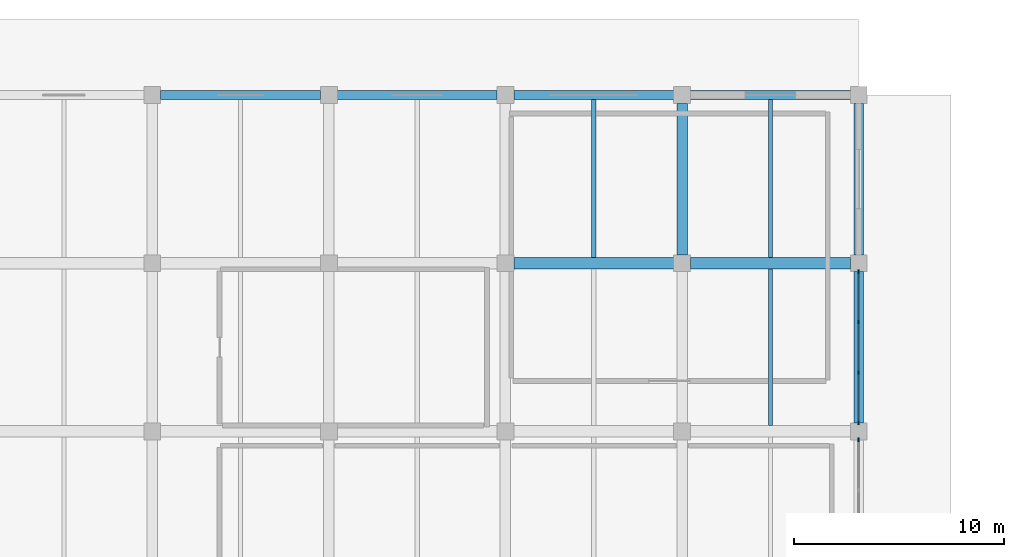
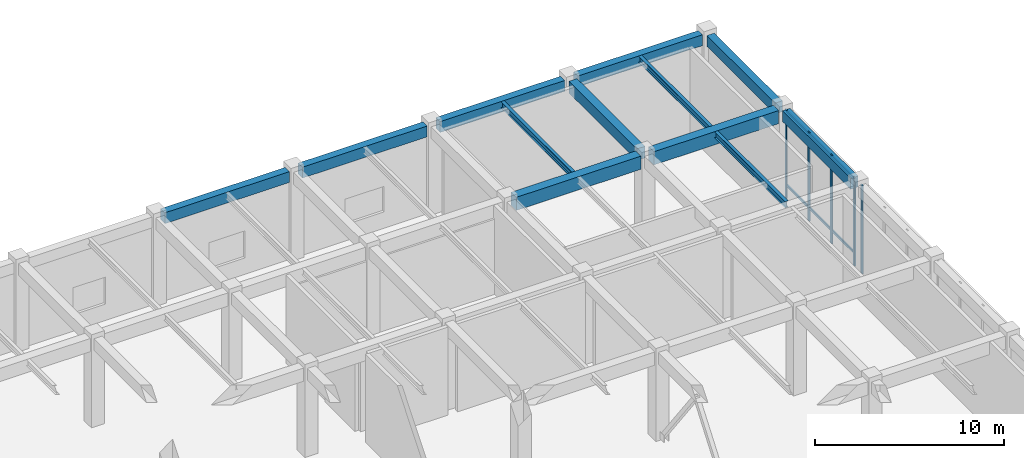
# One storey, part 37 of 76: 12 beams, 11 members, 2 elements without a shape of their own.
"""IFC4 building model written with IfcOpenShell, lengths in metres."""

from ifc_helpers import new_model, si_unit, direction, frame, origin, origin_2d, place, context, subcontext, project, spatial, rectangle, i_section, extrude, material, layer, layer_set, material_profile, profile_set, type_object, element, aggregate, save


model = new_model("IFC4")

# Units and contexts
model_context = context("Model", 3, precision=1e-05, world=origin(), true_north=direction((0.0, 1.0)))
body_context = subcontext(model_context, "Body", "Model", "MODEL_VIEW")
ifc_project = project(units=[si_unit("LENGTHUNIT", "METRE"), si_unit("AREAUNIT", "SQUARE_METRE"), si_unit("VOLUMEUNIT", "CUBIC_METRE"), si_unit("PLANEANGLEUNIT", "RADIAN"), si_unit("MASSUNIT", "GRAM", prefix="KILO")], contexts=[model_context])

# Site, building, storey
site_placement = place(None, origin())
site = spatial("IfcSite", under=ifc_project, at=site_placement, CompositionType="ELEMENT")
building_placement = place(site_placement, origin())
building = spatial("IfcBuilding", under=site, at=building_placement, Name="Naruveol Harbour Congress Hotel", CompositionType="ELEMENT")
storey_placement = place(building_placement, origin())
storey = spatial("IfcBuildingStorey", under=building, at=storey_placement, Name="L00", CompositionType="ELEMENT", Elevation=0.0)

# Beams
ifc_material_1 = material(Name="Concrete C40/50", Category="concrete")
ifc_material_profile_1 = material_profile(ifc_material_1, rectangle(XDim=0.5, YDim=0.75, at=origin_2d()), Name="RCB-500x750")
ifc_profile_set_1 = profile_set([ifc_material_profile_1], Name="Concrete C40/50")
beam_type_1 = type_object("IfcBeamType", Name="RC FLOOR GIRDER 500X750", PredefinedType="BEAM", material=ifc_profile_set_1)
beam_1_placement = place(storey_placement, frame((117.60009765625, 104.39599609375, 5.324951171875), z_axis=(0.0, 1.0, 0.0), x_axis=(-1.0, 0.0, 0.0)))
element("IfcBeam", 1, at=beam_1_placement, inside=storey, type_object=beam_type_1, Name="Transverse girder L01 CB3", PredefinedType="BEAM", context=body_context, shape_type="SweptSolid", body=[
    extrude(rectangle(XDim=0.5, YDim=0.75, at=origin_2d()), origin(), (0.0, 0.0, 1.0), 7.2080078125),
])
ifc_material_2 = material(Name="Concrete C40/50", Category="concrete")
ifc_material_profile_2 = material_profile(ifc_material_2, rectangle(XDim=0.550048828125, YDim=0.85009765625, at=origin_2d()), Name="RCB-550x850")
ifc_profile_set_2 = profile_set([ifc_material_profile_2], Name="Concrete C40/50")
beam_type_2 = type_object("IfcBeamType", Name="RC PRIMARY GIRDER 550X850", PredefinedType="BEAM", material=ifc_profile_set_2)
beam_2_placement = place(storey_placement, frame((109.595947265625, 104.0, 5.27490234375), z_axis=(1.0, 0.0, 0.0), x_axis=(0.0, 1.0, 0.0)))
element("IfcBeam", 2, at=beam_2_placement, inside=storey, type_object=beam_type_2, Name="Floor girder L01 CB2", PredefinedType="BEAM", context=body_context, shape_type="SweptSolid", body=[
    extrude(rectangle(XDim=0.550048828125, YDim=0.85009765625, at=origin_2d()), origin(), (0.0, 0.0, 1.0), 7.608154296875),
])
beam_3_placement = place(storey_placement, frame((117.99609375, 104.0, 5.27490234375), z_axis=(1.0, 0.0, 0.0), x_axis=(0.0, 1.0, 0.0)))
element("IfcBeam", 3, at=beam_3_placement, inside=storey, type_object=beam_type_2, Name="Floor girder L01 CB2", PredefinedType="BEAM", context=body_context, shape_type="SweptSolid", body=[
    extrude(rectangle(XDim=0.550048828125, YDim=0.85009765625, at=origin_2d()), origin(), (0.0, 0.0, 1.0), 7.60791015625),
])
ifc_material_3 = material(Name="Concrete C40/50", Category="concrete")
ifc_material_profile_3 = material_profile(ifc_material_3, rectangle(XDim=0.449951171875, YDim=0.699951171875, at=origin_2d()), Name="RCB-450x700")
ifc_profile_set_3 = profile_set([ifc_material_profile_3], Name="Concrete C40/50")
beam_type_3 = type_object("IfcBeamType", Name="RC SPANDREL BEAM 450X700", PredefinedType="SPANDREL", material=ifc_profile_set_3)
beam_4_placement = place(storey_placement, frame((92.7958984375, 112.0, 5.35009765625), z_axis=(1.0, 0.0, 0.0), x_axis=(0.0, 1.0, 0.0)))
element("IfcBeam", 4, at=beam_4_placement, inside=storey, type_object=beam_type_3, Name="Floor girder L01 SPB1", PredefinedType="SPANDREL", context=body_context, shape_type="SweptSolid", body=[
    extrude(rectangle(XDim=0.449951171875, YDim=0.699951171875, at=origin_2d()), origin(), (0.0, 0.0, 1.0), 7.608154296875),
])
beam_5_placement = place(storey_placement, frame((101.196044921875, 112.0, 5.35009765625), z_axis=(1.0, 0.0, 0.0), x_axis=(0.0, 1.0, 0.0)))
element("IfcBeam", 5, at=beam_5_placement, inside=storey, type_object=beam_type_3, Name="Floor girder L01 SPB1", PredefinedType="SPANDREL", context=body_context, shape_type="SweptSolid", body=[
    extrude(rectangle(XDim=0.449951171875, YDim=0.699951171875, at=origin_2d()), origin(), (0.0, 0.0, 1.0), 7.60791015625),
])
beam_6_placement = place(storey_placement, frame((109.595947265625, 112.0, 5.35009765625), z_axis=(1.0, 0.0, 0.0), x_axis=(0.0, 1.0, 0.0)))
element("IfcBeam", 6, at=beam_6_placement, inside=storey, type_object=beam_type_3, Name="Floor girder L01 SPB1", PredefinedType="SPANDREL", context=body_context, shape_type="SweptSolid", body=[
    extrude(rectangle(XDim=0.449951171875, YDim=0.699951171875, at=origin_2d()), origin(), (0.0, 0.0, 1.0), 7.608154296875),
])
beam_7_placement = place(storey_placement, frame((117.99609375, 112.0, 5.35009765625), z_axis=(1.0, 0.0, 0.0), x_axis=(0.0, 1.0, 0.0)))
element("IfcBeam", 7, at=beam_7_placement, inside=storey, type_object=beam_type_3, Name="Floor girder L01 SPB1", PredefinedType="SPANDREL", context=body_context, shape_type="SweptSolid", body=[
    extrude(rectangle(XDim=0.449951171875, YDim=0.699951171875, at=origin_2d()), origin(), (0.0, 0.0, 1.0), 7.60791015625),
])
for number, where, z_axis, x_axis, name in (
    (8, (126.0, 96.39599609375, 5.35009765625), (0.0, 1.0, 0.0), (-1.0, 0.0, 0.0), "Transverse girder L01 SPB1"),
    (9, (126.0, 104.39599609375, 5.35009765625), (0.0, 1.0, 0.0), (-1.0, 0.0, 0.0), "Transverse girder L01 SPB1"),
):
    element("IfcBeam", number, at=place(storey_placement, frame(where, z_axis=z_axis, x_axis=x_axis)), inside=storey, type_object=beam_type_3, Name=name, PredefinedType="SPANDREL", context=body_context, shape_type="SweptSolid", body=[
        extrude(rectangle(XDim=0.449951171875, YDim=0.699951171875, at=origin_2d()), origin(), (0.0, 0.0, 1.0), 7.2080078125),
    ])
ifc_material_4 = material(Name="Steel SN490", Category="steel")
ifc_material_profile_4 = material_profile(ifc_material_4, i_section(OverallWidth=0.199951171875, OverallDepth=0.39990234375, WebThickness=0.008056640625, FlangeThickness=0.012939453125, at=origin_2d()), Name="H-400x200x8x13")
ifc_profile_set_4 = profile_set([ifc_material_profile_4], Name="Steel SN490")
beam_type_4 = type_object("IfcBeamType", Name="STEEL SECONDARY JOIST H400", PredefinedType="JOIST", material=ifc_profile_set_4)
beam_8_placement = place(storey_placement, frame((121.800048828125, 96.27099609375, 5.5), z_axis=(0.0, 1.0, 0.0), x_axis=(-1.0, 0.0, 0.0)))
element("IfcBeam", 10, at=beam_8_placement, inside=storey, type_object=beam_type_4, Name="Secondary floor joist L01 SJ1", PredefinedType="JOIST", context=body_context, shape_type="SweptSolid", body=[
    extrude(i_section(OverallWidth=0.199951171875, OverallDepth=0.39990234375, WebThickness=0.008056640625, FlangeThickness=0.012939453125, at=origin_2d()), origin(), (0.0, 0.0, 1.0), 7.4580078125),
])
for number, where, z_axis, x_axis, name in (
    (11, (113.39990234375, 104.27099609375, 5.5), (0.0, 1.0, 0.0), (-1.0, 0.0, 0.0), "Secondary floor joist L01 SJ1"),
    (12, (121.800048828125, 104.27099609375, 5.5), (0.0, 1.0, 0.0), (-1.0, 0.0, 0.0), "Secondary floor joist L01 SJ1"),
):
    element("IfcBeam", number, at=place(storey_placement, frame(where, z_axis=z_axis, x_axis=x_axis)), inside=storey, type_object=beam_type_4, Name=name, PredefinedType="JOIST", context=body_context, shape_type="SweptSolid", body=[
        extrude(i_section(OverallWidth=0.199951171875, OverallDepth=0.39990234375, WebThickness=0.008056640625, FlangeThickness=0.012939453125, at=origin_2d()), origin(), (0.0, 0.0, 1.0), 7.508056640625),
    ])

# Curtain wall, member
ifc_material_5 = material(Name="Low-E Curtain Wall System", Category="glass")
ifc_layer = layer(ifc_material_5, 0.179931640625)
ifc_layer_set = layer_set([ifc_layer], Name="Low-E Curtain Wall System")
curtain_wall_type = type_object("IfcCurtainWallType", Name="UNITISED CURTAIN WALL CW-V2E-16 7200X5700", PredefinedType="USERDEFINED", material=ifc_layer_set)
curtain_wall_1_placement = place(storey_placement, origin())
curtain_wall_1 = element("IfcCurtainWall", 13, at=curtain_wall_1_placement, inside=storey, type_object=curtain_wall_type, Name="Unitised curtain wall CW-V2E-16 L00", ObjectType="UNITISED GLAZING", PredefinedType="USERDEFINED")
ifc_material_6 = material(Name="Anodised Aluminium 6063-T6", Category="aluminium")
ifc_material_profile_5 = material_profile(ifc_material_6, rectangle(XDim=0.074951171875, YDim=0.179931640625, at=origin_2d()), Name="ALU-75x180")
ifc_profile_set_5 = profile_set([ifc_material_profile_5], Name="Anodised Aluminium 6063-T6")
member_type_1 = type_object("IfcMemberType", Name="THERMAL ALUMINIUM MULLION 75X180", PredefinedType="MULLION", material=ifc_profile_set_5)
member_1_placement = place(storey_placement, frame((126.0, 95.60009765625, 0.0), z_axis=(0.0, 0.0, 1.0), x_axis=(1.0, 0.0, 0.0)))
member_1 = element("IfcMember", 14, at=member_1_placement, type_object=member_type_1, Name="Curtain wall mullion CW-L00-0034-M0", PredefinedType="MULLION", context=body_context, shape_type="SweptSolid", body=[
    extrude(rectangle(XDim=0.074951171875, YDim=0.179931640625, at=origin_2d()), origin(), (0.0, 0.0, 1.0), 5.699951171875),
])
aggregate(curtain_wall_1, [member_1])

# Curtain wall, members
curtain_wall_2_placement = place(storey_placement, origin())
curtain_wall_2 = element("IfcCurtainWall", 15, at=curtain_wall_2_placement, inside=storey, type_object=curtain_wall_type, Name="Unitised curtain wall CW-V2E-16 L00", ObjectType="UNITISED GLAZING", PredefinedType="USERDEFINED")
member_2_placement = place(storey_placement, frame((126.0, 103.60009765625, 0.0), z_axis=(0.0, 0.0, 1.0), x_axis=(1.0, 0.0, 0.0)))
member_2 = element("IfcMember", 16, at=member_2_placement, type_object=member_type_1, Name="Curtain wall mullion CW-L00-0035-M0", PredefinedType="MULLION", context=body_context, shape_type="SweptSolid", body=[
    extrude(rectangle(XDim=0.074951171875, YDim=0.179931640625, at=origin_2d()), origin(), (0.0, 0.0, 1.0), 5.699951171875),
])
member_3_placement = place(storey_placement, frame((126.0, 101.199951171875, 0.0), z_axis=(0.0, 0.0, 1.0), x_axis=(1.0, 0.0, 0.0)))
member_3 = element("IfcMember", 17, at=member_3_placement, type_object=member_type_1, Name="Curtain wall mullion CW-L00-0035-M1", PredefinedType="MULLION", context=body_context, shape_type="SweptSolid", body=[
    extrude(rectangle(XDim=0.074951171875, YDim=0.179931640625, at=origin_2d()), origin(), (0.0, 0.0, 1.0), 5.699951171875),
])
member_4_placement = place(storey_placement, frame((126.0, 98.800048828125, 0.0), z_axis=(0.0, 0.0, 1.0), x_axis=(1.0, 0.0, 0.0)))
member_4 = element("IfcMember", 18, at=member_4_placement, type_object=member_type_1, Name="Curtain wall mullion CW-L00-0035-M2", PredefinedType="MULLION", context=body_context, shape_type="SweptSolid", body=[
    extrude(rectangle(XDim=0.074951171875, YDim=0.179931640625, at=origin_2d()), origin(), (0.0, 0.0, 1.0), 5.699951171875),
])
member_5_placement = place(storey_placement, frame((126.0, 96.39990234375, 0.0), z_axis=(0.0, 0.0, 1.0), x_axis=(1.0, 0.0, 0.0)))
member_5 = element("IfcMember", 19, at=member_5_placement, type_object=member_type_1, Name="Curtain wall mullion CW-L00-0035-M3", PredefinedType="MULLION", context=body_context, shape_type="SweptSolid", body=[
    extrude(rectangle(XDim=0.074951171875, YDim=0.179931640625, at=origin_2d()), origin(), (0.0, 0.0, 1.0), 5.699951171875),
])
ifc_material_7 = material(Name="Anodised Aluminium 6063-T6", Category="aluminium")
ifc_material_profile_6 = material_profile(ifc_material_7, rectangle(XDim=0.074951171875, YDim=0.14990234375, at=origin_2d()), Name="ALU-75x150")
ifc_profile_set_6 = profile_set([ifc_material_profile_6], Name="Anodised Aluminium 6063-T6")
member_type_2 = type_object("IfcMemberType", Name="THERMAL ALUMINIUM TRANSOM 75X150", PredefinedType="USERDEFINED", material=ifc_profile_set_6)
member_6_placement = place(storey_placement, frame((126.0, 103.56005859375, 0.85009765625), z_axis=(0.0, -1.0, 0.0), x_axis=(1.0, 0.0, 0.0)))
member_6 = element("IfcMember", 20, at=member_6_placement, type_object=member_type_2, Name="Curtain wall transom CW-L00-0035-T0.1", ObjectType="TRANSOM", PredefinedType="USERDEFINED", context=body_context, shape_type="SweptSolid", body=[
    extrude(rectangle(XDim=0.074951171875, YDim=0.14990234375, at=origin_2d()), origin(), (0.0, 0.0, 1.0), 2.320068359375),
])
member_7_placement = place(storey_placement, frame((126.0, 103.56005859375, 5.6201171875), z_axis=(0.0, -1.0, 0.0), x_axis=(1.0, 0.0, 0.0)))
member_7 = element("IfcMember", 21, at=member_7_placement, type_object=member_type_2, Name="Curtain wall transom CW-L00-0035-T0.2", ObjectType="TRANSOM", PredefinedType="USERDEFINED", context=body_context, shape_type="SweptSolid", body=[
    extrude(rectangle(XDim=0.074951171875, YDim=0.14990234375, at=origin_2d()), origin(), (0.0, 0.0, 1.0), 2.320068359375),
])
member_8_placement = place(storey_placement, frame((126.0, 101.159912109375, 0.85009765625), z_axis=(0.0, -1.0, 0.0), x_axis=(1.0, 0.0, 0.0)))
member_8 = element("IfcMember", 22, at=member_8_placement, type_object=member_type_2, Name="Curtain wall transom CW-L00-0035-T1.1", ObjectType="TRANSOM", PredefinedType="USERDEFINED", context=body_context, shape_type="SweptSolid", body=[
    extrude(rectangle(XDim=0.074951171875, YDim=0.14990234375, at=origin_2d()), origin(), (0.0, 0.0, 1.0), 2.31982421875),
])
member_9_placement = place(storey_placement, frame((126.0, 101.159912109375, 5.6201171875), z_axis=(0.0, -1.0, 0.0), x_axis=(1.0, 0.0, 0.0)))
member_9 = element("IfcMember", 23, at=member_9_placement, type_object=member_type_2, Name="Curtain wall transom CW-L00-0035-T1.2", ObjectType="TRANSOM", PredefinedType="USERDEFINED", context=body_context, shape_type="SweptSolid", body=[
    extrude(rectangle(XDim=0.074951171875, YDim=0.14990234375, at=origin_2d()), origin(), (0.0, 0.0, 1.0), 2.31982421875),
])
member_10_placement = place(storey_placement, frame((126.0, 98.760009765625, 0.85009765625), z_axis=(0.0, -1.0, 0.0), x_axis=(1.0, 0.0, 0.0)))
member_10 = element("IfcMember", 24, at=member_10_placement, type_object=member_type_2, Name="Curtain wall transom CW-L00-0035-T2.1", ObjectType="TRANSOM", PredefinedType="USERDEFINED", context=body_context, shape_type="SweptSolid", body=[
    extrude(rectangle(XDim=0.074951171875, YDim=0.14990234375, at=origin_2d()), origin(), (0.0, 0.0, 1.0), 2.320068359375),
])
member_11_placement = place(storey_placement, frame((126.0, 98.760009765625, 5.6201171875), z_axis=(0.0, -1.0, 0.0), x_axis=(1.0, 0.0, 0.0)))
member_11 = element("IfcMember", 25, at=member_11_placement, type_object=member_type_2, Name="Curtain wall transom CW-L00-0035-T2.2", ObjectType="TRANSOM", PredefinedType="USERDEFINED", context=body_context, shape_type="SweptSolid", body=[
    extrude(rectangle(XDim=0.074951171875, YDim=0.14990234375, at=origin_2d()), origin(), (0.0, 0.0, 1.0), 2.320068359375),
])
aggregate(curtain_wall_2, [member_2, member_3, member_4, member_5, member_6, member_7, member_8, member_9, member_10, member_11])

save(model, "model.ifc")
